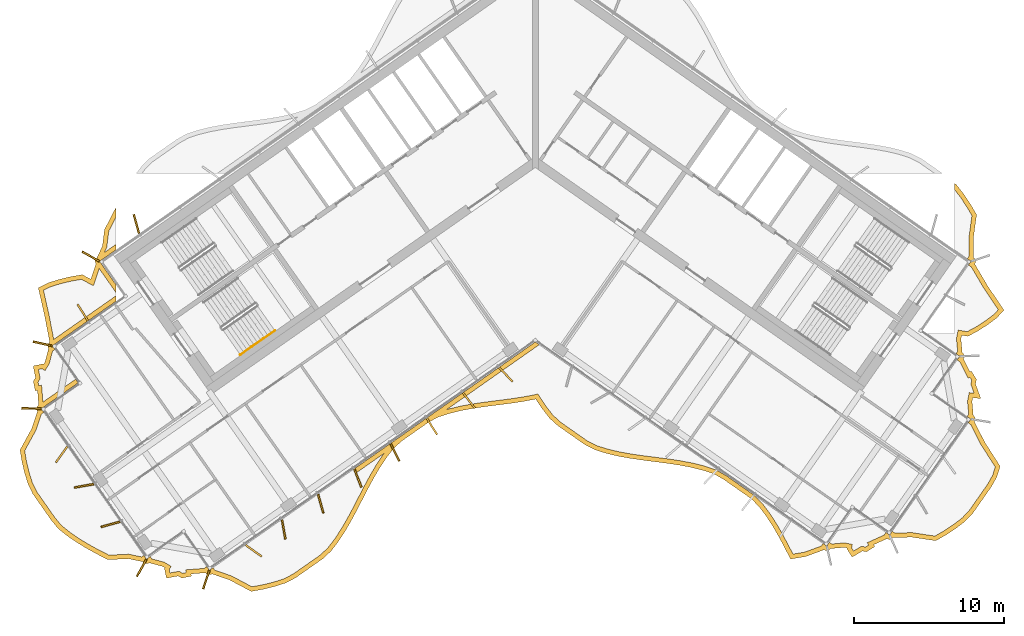
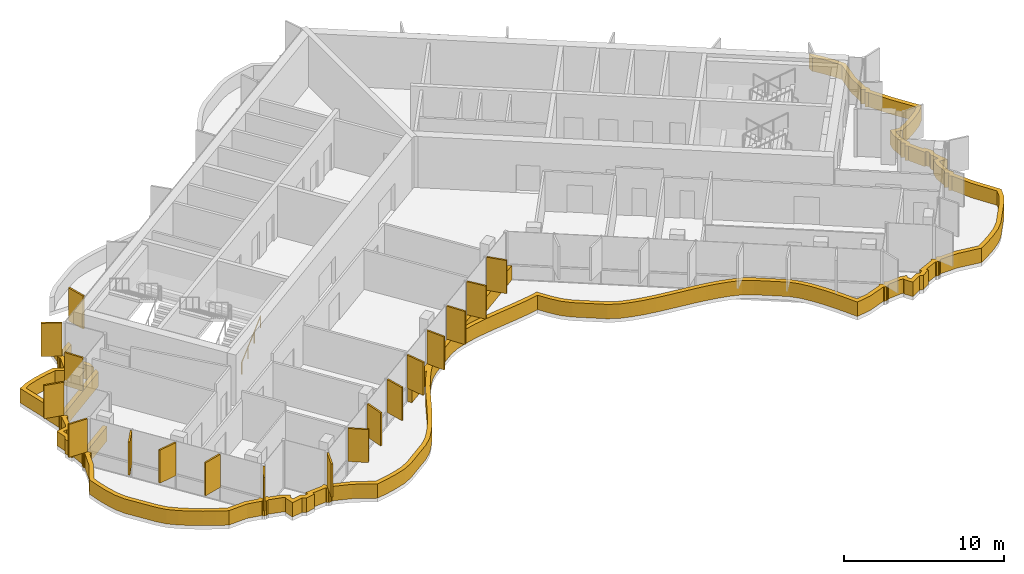
# One storey, part 13 of 17: 19 shading devices, 1 railing.
"""IFC4 building model written with IfcOpenShell, lengths in metres."""

import ifcopenshell
import ifcopenshell.guid

model = None  # the IFC model being written
_history = None  # IfcOwnerHistory: only IFC2X3 demands one
_inside = {}  # id of a spatial element -> (the spatial element, [elements in it])
_under = {}  # id of a project, library or spatial element -> (it, [spatial elements below it])
_declared = {}  # id of a project -> (the project, [libraries it declares])
_typed = {}  # id of a type object -> (the type object, [elements of that type])
_made_of = {}  # id of a material, layer set ... -> (it, [elements and type objects made of it])


def new_model(schema):
    """Start an empty IFC model of exactly this schema.

    Asked for "IFC4X3", IfcOpenShell would pick the latest addendum, in which some entities
    have other attributes; the version numbers below select the first issue.
    IFC2X3 requires an IfcOwnerHistory on every rooted entity: one is made here for all.
    """
    global model, _history
    if schema == "IFC4X3":
        model = ifcopenshell.file(schema_version=(4, 3, 0, 0))
    else:
        model = ifcopenshell.file(schema=schema)
    _inside.clear()
    _under.clear()
    _declared.clear()
    _typed.clear()
    _made_of.clear()
    _history = None
    if model.schema == "IFC2X3":
        org = make("IfcOrganization", Name="unknown")
        user = make(
            "IfcPersonAndOrganization",
            ThePerson=make("IfcPerson", FamilyName="unknown"),
            TheOrganization=org,
        )
        app = make(
            "IfcApplication",
            ApplicationDeveloper=org,
            Version="unknown",
            ApplicationFullName="unknown",
            ApplicationIdentifier="unknown",
        )
        _history = make(
            "IfcOwnerHistory",
            OwningUser=user,
            OwningApplication=app,
            ChangeAction="ADDED",
            CreationDate=0,
        )
    return model


def make(cls, **values):
    """One entity of the class cls with the attributes given. An attribute that is None is left unset."""
    return model.create_entity(
        cls, **{name: value for name, value in values.items() if value is not None}
    )


def rooted(cls, **values):
    """An entity with a GlobalId (a new one), such as an element, a storey or a relation."""
    return make(cls, GlobalId=ifcopenshell.guid.new(), OwnerHistory=_history, **values)


def si_unit(unit_type, name, prefix=None):
    """IfcSIUnit, for example si_unit("LENGTHUNIT", "METRE", prefix="MILLI")."""
    return make("IfcSIUnit", UnitType=unit_type, Prefix=prefix, Name=name)


def assignment(units):
    """IfcUnitAssignment: the units of a project."""
    return None if units is None else make("IfcUnitAssignment", Units=units)


def point(xyz):
    """IfcCartesianPoint."""
    return None if xyz is None else make("IfcCartesianPoint", Coordinates=xyz)


def direction(xyz):
    """IfcDirection."""
    return None if xyz is None else make("IfcDirection", DirectionRatios=xyz)


def frame(location, z_axis=None, x_axis=None):
    """IfcAxis2Placement3D, a coordinate frame: its origin and axes. An axis left out is left unset."""
    return make(
        "IfcAxis2Placement3D",
        Location=point(location),
        Axis=direction(z_axis),
        RefDirection=direction(x_axis),
    )


def frame_2d(location, x_axis=None):
    """IfcAxis2Placement2D, a coordinate frame in the plane: its origin and x axis."""
    return make(
        "IfcAxis2Placement2D", Location=point(location), RefDirection=direction(x_axis)
    )


def origin():
    """The frame at (0, 0, 0) with its axes left unset."""
    return frame((0.0, 0.0, 0.0))


def origin_2d():
    """The frame at (0, 0) in the plane with its x axis left unset."""
    return frame_2d((0.0, 0.0))


def place(relative_to, where):
    """IfcLocalPlacement: puts the frame where relative to a parent placement (None: the world)."""
    return make(
        "IfcLocalPlacement", PlacementRelTo=relative_to, RelativePlacement=where
    )


def context(
    kind, dimensions, precision=None, world=None, true_north=None, identifier=None
):
    """IfcGeometricRepresentationContext, for example the 3D "Model" context."""
    return make(
        "IfcGeometricRepresentationContext",
        ContextIdentifier=identifier,
        ContextType=kind,
        CoordinateSpaceDimension=dimensions,
        Precision=precision,
        WorldCoordinateSystem=world,
        TrueNorth=true_north,
    )


def subcontext(parent, identifier, kind, view, scale=None):
    """IfcGeometricRepresentationSubContext, for example "Body" below "Model"."""
    return make(
        "IfcGeometricRepresentationSubContext",
        ContextIdentifier=identifier,
        ContextType=kind,
        ParentContext=parent,
        TargetScale=scale,
        TargetView=view,
    )


def project(units=None, contexts=None):
    """IfcProject with its units and contexts."""
    return rooted(
        "IfcProject",
        Name="project",
        RepresentationContexts=contexts,
        UnitsInContext=assignment(units),
    )


def spatial(cls, under=None, at=None, **own):
    """A site, building, storey or space (cls), placed at a placement, below another one or the project."""
    s = rooted(cls, ObjectPlacement=at, **own)
    if under is not None:
        _under.setdefault(under.id(), (under, []))[1].append(s)
    return s


def polyline(points):
    """IfcPolyline through the points."""
    return make("IfcPolyline", Points=[point(p) for p in points])


def profile(cls, at=None, kind="AREA", **sizes):
    """A parametric profile (cls). Its sizes go by their IFC names, for example OverallWidth=200.0."""
    return make(cls, ProfileType=kind, Position=at, **sizes)


def rectangle(**sizes):
    """IfcRectangleProfileDef."""
    return profile("IfcRectangleProfileDef", **sizes)


def circle(**sizes):
    """IfcCircleProfileDef."""
    return profile("IfcCircleProfileDef", **sizes)


def outline(outer, holes=None, kind="AREA"):
    """IfcArbitraryClosedProfileDef: a profile drawn as a closed curve; with holes, ...WithVoids."""
    if holes is None:
        return make("IfcArbitraryClosedProfileDef", ProfileType=kind, OuterCurve=outer)
    return make(
        "IfcArbitraryProfileDefWithVoids",
        ProfileType=kind,
        OuterCurve=outer,
        InnerCurves=holes,
    )


def extrude(swept, where, along, depth):
    """IfcExtrudedAreaSolid: the profile swept, set in the frame where, extruded along a direction by depth."""
    return make(
        "IfcExtrudedAreaSolid",
        SweptArea=swept,
        Position=where,
        ExtrudedDirection=direction(along),
        Depth=depth,
    )


def shape(context_of_items, identifier, shape_type, items):
    """IfcShapeRepresentation: the items that make up one representation, for example the "Body"."""
    return make(
        "IfcShapeRepresentation",
        ContextOfItems=context_of_items,
        RepresentationIdentifier=identifier,
        RepresentationType=shape_type,
        Items=items,
    )


def material(Name=None, Category=None):
    """IfcMaterial."""
    return make("IfcMaterial", Name=Name, Category=Category)


def layer(
    of_material, thickness, ventilated=None, Name=None, Category=None, Priority=None
):
    """IfcMaterialLayer: one layer of a wall or slab, of a material (None: an air gap)."""
    return make(
        "IfcMaterialLayer",
        Material=of_material,
        LayerThickness=thickness,
        IsVentilated=ventilated,
        Name=Name,
        Category=Category,
        Priority=Priority,
    )


def layer_set(layers, Name=None):
    """IfcMaterialLayerSet."""
    return make("IfcMaterialLayerSet", MaterialLayers=layers, LayerSetName=Name)


def made_of(thing, what):
    """Note that an element or type object is made of a material, layer set ...; save() writes the relation."""
    if what is not None:
        _made_of.setdefault(what.id(), (what, []))[1].append(thing)
    return thing


def type_object(cls, material=None, **own):
    """A type object (cls), such as IfcWallType, which elements share."""
    return made_of(rooted(cls, **own), material)


def element(
    cls,
    number,
    at=None,
    inside=None,
    cuts=None,
    type_object=None,
    material=None,
    context=None,
    identifier="Body",
    shape_type=None,
    held_by="IfcProductDefinitionShape",
    body=None,
    shapes=None,
    **own,
):
    """One element of the class cls, such as IfcWall. Its Tag is "e" and its number.

    at: its placement. inside: the storey or other place that contains it. cuts: it is an
    opening in that element (IfcRelVoidsElement). A single representation is given by context,
    identifier, shape_type and body (its items); several are given by shapes. held_by: the class
    of the entity that holds the representations. save() writes the other relations.
    """
    e = rooted(cls, Tag="e%d" % number, ObjectPlacement=at, **own)
    if body is not None:
        shapes = [shape(context, identifier, shape_type, body)]
    if shapes is not None:
        e.Representation = make(held_by, Representations=shapes)
    if inside is not None:
        _inside.setdefault(inside.id(), (inside, []))[1].append(e)
    if cuts is not None:
        rooted(
            "IfcRelVoidsElement", RelatingBuildingElement=cuts, RelatedOpeningElement=e
        )
    if type_object is not None:
        _typed.setdefault(type_object.id(), (type_object, []))[1].append(e)
    return made_of(e, material)


def aggregate(whole, parts):
    """IfcRelAggregates: a whole, such as a stair, and the parts it consists of."""
    return rooted("IfcRelAggregates", RelatingObject=whole, RelatedObjects=parts)


def save(model, path):
    """Write the relations noted so far, then the file.

    IfcRelAggregates (storeys below a building ...), IfcRelContainedInSpatialStructure (elements
    in a storey), IfcRelDefinesByType, IfcRelAssociatesMaterial and IfcRelDeclares: one each for
    every whole, place, type object, material and project.
    """
    for whole, parts in _under.values():
        aggregate(whole, parts)
    for where, things in _inside.values():
        rooted(
            "IfcRelContainedInSpatialStructure",
            RelatedElements=things,
            RelatingStructure=where,
        )
    for kind, things in _typed.values():
        rooted("IfcRelDefinesByType", RelatedObjects=things, RelatingType=kind)
    for what, things in _made_of.values():
        rooted("IfcRelAssociatesMaterial", RelatedObjects=things, RelatingMaterial=what)
    for by, libraries in _declared.values():
        rooted("IfcRelDeclares", RelatingContext=by, RelatedDefinitions=libraries)
    model.write(path)


model = new_model("IFC4")

# Units and contexts
model_context = context("Model", 3, precision=1e-05, world=origin(), true_north=direction((0.0, 1.0)))
body_context = subcontext(model_context, "Body", "Model", "MODEL_VIEW")
ifc_project = project(units=[si_unit("LENGTHUNIT", "METRE"), si_unit("AREAUNIT", "SQUARE_METRE"), si_unit("VOLUMEUNIT", "CUBIC_METRE"), si_unit("PLANEANGLEUNIT", "RADIAN"), si_unit("MASSUNIT", "GRAM", prefix="KILO")], contexts=[model_context])

# Site, building, storey
site_placement = place(None, origin())
site = spatial("IfcSite", under=ifc_project, at=site_placement, CompositionType="ELEMENT")
building_placement = place(site_placement, origin())
building = spatial("IfcBuilding", under=site, at=building_placement, Name="Tel Ilan Convention Tower", CompositionType="ELEMENT")
storey_placement = place(building_placement, frame((0.0, 0.0, 276.10009765625)))
storey = spatial("IfcBuildingStorey", under=building, at=storey_placement, Name="L65", CompositionType="ELEMENT", Elevation=276.10009765625)

# Shading devices
ifc_material_1 = material(Name="Aluminium, bronze anodised", Category="aluminium")
ifc_layer_1 = layer(ifc_material_1, 0.1201171875)
ifc_layer_set_1 = layer_set([ifc_layer_1], Name="FIN BRONZE 1300x120")
shading_device_type_1 = type_object("IfcShadingDeviceType", Name="FIN BRONZE 1300x120", PredefinedType="USERDEFINED", material=ifc_layer_set_1)
for number, where, z_axis, x_axis, name in (
    (1, (-26.51171875, -4.9736328125, 1.099853515625), (0.0, 0.0, 1.0), (-0.268172612768, 0.963370878614, 0.0), "FIN"),
    (2, (-29.5439453125, -7.13623046875, 1.099853515625), (0.0, 0.0, 1.0), (-0.870832754082, 0.491579408049, 0.0), "FIN"),
    (3, (-30.076416015625, -10.8642578125, 1.099853515625), (0.0, 0.0, 1.0), (-0.533204432798, 0.845986425922, 0.0), "FIN"),
    (4, (-32.740234375, -12.935302734375, 1.099853515625), (0.0, 0.0, 1.0), (-0.975235208752, 0.221170268371, 0.0), "FIN"),
    (5, (-33.498291015625, -17.2373046875, 1.099853515625), (0.0, 0.0, 1.0), (-0.999576950082, 0.029084718749, 0.0), "FIN"),
    (6, (-31.485107421875, -20.2958984375, 1.099853515625), (0.0, 0.0, 1.0), (-0.581492071294, -0.813552070258, 0.0), "FIN"),
    (7, (-30.002197265625, -22.381591796875, 1.099853515625), (0.0, 0.0, 1.0), (-0.984807753012, -0.173648177667, 0.0), "FIN"),
    (8, (-28.234619140625, -24.938232421875, 1.099853515625), (0.0, 0.0, 1.0), (-0.963370878614, -0.268172612768, 0.0), "FIN"),
    (9, (-26.165771484375, -27.83642578125, 1.099853515625), (0.0, 0.0, 1.0), (-0.491579408049, -0.870832754082, 0.0), "FIN"),
    (10, (-21.87060546875, -28.613037109375, 1.099853515625), (0.0, 0.0, 1.0), (-0.314544756146, -0.949242643575, 0.0), "FIN"),
    (11, (-18.717529296875, -26.6962890625, 1.099853515625), (0.0, 0.0, 1.0), (0.813552070258, -0.581492071294, 0.0), "FIN"),
    (12, (-16.72314453125, -25.27734375, 1.099853515625), (0.0, 0.0, 1.0), (0.173648177667, -0.984807753012, 0.0), "FIN"),
    (13, (-14.2578125, -23.573486328125, 1.099853515625), (0.0, 0.0, 1.0), (0.268172612768, -0.963370878614, 0.0), "FIN"),
    (14, (-11.7939453125, -21.863525390625, 1.099853515625), (0.0, 0.0, 1.0), (0.360177724803, -0.932883704733, 0.0), "FIN"),
    (15, (-9.332275390625, -20.14794921875, 1.099853515625), (0.0, 0.0, 1.0), (0.448799180206, -0.893632640321, 0.0), "FIN"),
    (16, (-6.87353515625, -18.426513671875, 1.099853515625), (0.0, 0.0, 1.0), (0.533204432798, -0.845986425922, 0.0), "FIN"),
    (17, (-4.414794921875, -16.704833984375, 1.099853515625), (0.0, 0.0, 1.0), (0.612600545196, -0.790392669516, 0.0), "FIN"),
    (18, (-1.95654296875, -14.983154296875, 1.099853515625), (0.0, 0.0, 1.0), (0.686241637865, -0.727373641577, 0.0), "FIN"),
):
    element("IfcShadingDevice", number, at=place(storey_placement, frame(where, z_axis=z_axis, x_axis=x_axis)), inside=storey, type_object=shading_device_type_1, Name=name, ObjectType="FIN", PredefinedType="USERDEFINED", context=body_context, shape_type="SweptSolid", body=[
        extrude(rectangle(XDim=1.300048828125, YDim=0.1201171875, at=origin_2d()), origin(), (0.0, 0.0, 1.0), 2.52001953125),
    ])
ifc_material_2 = material(Name="Aluminium, bronze anodised", Category="aluminium")
ifc_layer_2 = layer(ifc_material_2, 0.300048828125)
ifc_layer_set_2 = layer_set([ifc_layer_2], Name="LOUVRE BAND 300x1100")
shading_device_type_2 = type_object("IfcShadingDeviceType", Name="LOUVRE BAND 300x1100", PredefinedType="USERDEFINED", material=ifc_layer_set_2)
shading_device_placement = place(storey_placement, origin())
element("IfcShadingDevice", 19, at=shading_device_placement, inside=storey, type_object=shading_device_type_2, Name="LOUVRE BAND 50.01", ObjectType="LOUVRE", PredefinedType="USERDEFINED", context=body_context, shape_type="SweptSolid", body=[
    extrude(outline(polyline([(-33.47021484375, -18.574462890625), (-34.248779296875, -19.995849609375), (-34.1181640625, -20.780517578125), (-33.940185546875, -21.531982421875), (-33.7158203125, -22.2509765625), (-33.401611328125, -22.906982421875), (-32.166748046875, -24.670654296875), (-31.707763671875, -25.22509765625), (-31.125732421875, -25.69384765625), (-30.49462890625, -26.1279296875), (-29.82373046875, -26.5341796875), (-29.12353515625, -26.920166015625), (-28.398193359375, -27.288330078125), (-27.05419921875, -27.223388671875), (-26.083984375, -27.420166015625), (-26.05517578125, -27.46337890625), (-25.957763671875, -27.5283203125), (-25.843017578125, -27.55126953125), (-25.728271484375, -27.5283203125), (-25.674072265625, -27.492431640625), (-24.7724609375, -27.73388671875), (-24.61669921875, -27.828857421875), (-24.64697265625, -27.878662109375), (-24.51416015625, -28.518310546875), (-23.728759765625, -28.3701171875), (-23.49462890625, -28.5126953125), (-22.855224609375, -28.3798828125), (-22.8828125, -28.233154296875), (-21.90576171875, -28.15673828125), (-21.876953125, -28.2001953125), (-21.779541015625, -28.26513671875), (-21.664794921875, -28.2880859375), (-21.550048828125, -28.26513671875), (-21.49609375, -28.22900390625), (-20.311279296875, -28.64013671875), (-18.883544921875, -29.3984375), (-18.087646484375, -29.25439453125), (-17.32080078125, -29.068359375), (-16.588623046875, -28.833251953125), (-15.931640625, -28.490478515625), (-14.12646484375, -27.226318359375), (-13.582763671875, -26.721923828125), (-13.1123046875, -26.113037109375), (-12.67626953125, -25.454833984375), (-12.267333984375, -24.7578125), (-11.87744140625, -24.0341796875), (-11.11572265625, -22.56005859375), (-10.724853515625, -21.83740234375), (-10.314697265625, -21.142333984375), (-9.877197265625, -20.486572265625), (-9.404541015625, -19.88037109375), (-8.85498046875, -19.384765625), (-7.049560546875, -18.12060546875), (-6.386474609375, -17.78662109375), (-5.65234375, -17.55419921875), (-4.884033203125, -17.370849609375), (-4.088623046875, -17.225830078125), (-3.274658203125, -17.107421875), (-1.629150390625, -16.895751953125), (-0.816650390625, -16.775146484375), (0.03369140625, -16.6123046875), (0.481201171875, -17.28466796875), (0.956298828125, -17.894287109375), (1.509765625, -18.392333984375), (3.325927734375, -19.663818359375), (3.99609375, -19.9951171875), (4.73583984375, -20.22705078125), (5.510009765625, -20.40966796875), (6.311279296875, -20.553955078125), (7.130615234375, -20.672119140625), (8.785888671875, -20.885009765625), (9.601806640625, -21.008056640625), (10.3974609375, -21.16015625), (11.16455078125, -21.353271484375), (11.8955078125, -21.59765625), (12.540283203125, -21.965087890625), (14.356201171875, -23.23681640625), (14.88330078125, -23.7724609375), (15.349853515625, -24.39453125), (15.782958984375, -25.064453125), (16.18994140625, -25.771728515625), (16.57958984375, -26.50341796875), (16.96240234375, -27.2451171875), (17.983642578125, -27.074951171875), (19.202392578125, -26.623046875), (19.25634765625, -26.6591796875), (19.37109375, -26.681884765625), (19.486083984375, -26.6591796875), (19.583251953125, -26.593994140625), (19.6123046875, -26.55078125), (20.542236328125, -26.469482421875), (20.72119140625, -26.50537109375), (20.709716796875, -26.5625), (21.052978515625, -27.1181640625), (21.740478515625, -26.710205078125), (22.00927734375, -26.76416015625), (22.564697265625, -26.420654296875), (22.488525390625, -26.292236328125), (23.380615234375, -25.88623046875), (23.4345703125, -25.92236328125), (23.54931640625, -25.9453125), (23.6640625, -25.92236328125), (23.761474609375, -25.857421875), (23.79052734375, -25.81396484375), (25.015625, -25.789306640625), (26.617919921875, -26.0283203125), (27.311767578125, -25.631591796875), (27.9609375, -25.203369140625), (28.5625, -24.741943359375), (29.068603515625, -24.213623046875), (30.31298828125, -22.436767578125), (30.669189453125, -21.803466796875), (30.8984375, -21.081298828125), (29.872314453125, -19.47998046875), (29.18212890625, -18.114013671875), (29.218017578125, -18.06005859375), (29.240966796875, -17.9453125), (29.218017578125, -17.830322265625), (29.153076171875, -17.733154296875), (29.10986328125, -17.7041015625), (29.028564453125, -16.774169921875), (29.080322265625, -16.5166015625), (29.61181640625, -16.583740234375), (29.26171875, -15.613037109375), (29.3232421875, -15.30712890625), (28.979736328125, -14.751708984375), (28.889404296875, -14.80517578125), (28.4453125, -13.935791015625), (28.4814453125, -13.8818359375), (28.504150390625, -13.76708984375), (28.4814453125, -13.652099609375), (28.416259765625, -13.554931640625), (28.373046875, -13.52587890625), (28.291748046875, -12.595947265625), (28.33642578125, -12.373291015625), (28.752685546875, -12.44189453125), (29.445068359375, -12.072265625), (30.077880859375, -11.660888671875), (30.66748046875, -11.218994140625), (31.151123046875, -10.703125), (30.056640625, -9.082275390625), (29.199951171875, -7.6279296875), (29.236083984375, -7.57373046875), (29.2587890625, -7.458984375), (29.236083984375, -7.34423828125), (29.1708984375, -7.246826171875), (29.127685546875, -7.218017578125), (29.10986328125, -5.95947265625), (29.331298828125, -4.35888671875), (28.922119140625, -3.659423828125), (28.48388671875, -3.001220703125), (28.0107421875, -2.392822265625), (27.874755859375, -2.269287109375), (27.874755859375, -2.70654296875), (28.240234375, -3.176513671875), (28.66748046875, -3.818359375), (29.02001953125, -4.420654296875), (28.809326171875, -5.941162109375), (28.829345703125, -7.12109375), (28.713134765625, -7.286865234375), (28.958740234375, -7.458984375), (28.787353515625, -7.705322265625), (28.97900390625, -7.83935546875), (29.802734375, -9.2421875), (30.7685546875, -10.672607421875), (30.466552734375, -10.99462890625), (29.906005859375, -11.414794921875), (29.292236328125, -11.813720703125), (28.701171875, -12.12939453125), (28.099365234375, -12.0302734375), (27.989013671875, -12.579833984375), (28.067626953125, -13.439208984375), (27.95849609375, -13.594970703125), (28.204345703125, -13.76708984375), (28.03271484375, -14.01318359375), (28.21630859375, -14.141845703125), (28.766845703125, -15.226806640625), (28.87939453125, -15.159912109375), (29.005859375, -15.3642578125), (28.951171875, -15.635986328125), (29.163330078125, -16.224853515625), (28.841064453125, -16.18408203125), (28.725830078125, -16.758056640625), (28.80419921875, -17.617431640625), (28.6953125, -17.773193359375), (28.94091796875, -17.9453125), (28.76953125, -18.19140625), (28.95263671875, -18.319580078125), (29.611328125, -19.62890625), (30.56982421875, -21.12451171875), (30.392578125, -21.68310546875), (30.05859375, -22.276611328125), (28.836181640625, -24.022705078125), (28.36181640625, -24.517822265625), (27.78662109375, -24.958740234375), (27.154541015625, -25.3759765625), (26.559326171875, -25.71630859375), (25.034423828125, -25.48876953125), (23.886474609375, -25.51513671875), (23.721435546875, -25.3994140625), (23.54931640625, -25.645263671875), (23.30322265625, -25.473876953125), (23.1787109375, -25.6513671875), (22.059326171875, -26.156982421875), (22.156494140625, -26.320556640625), (21.9521484375, -26.44677734375), (21.6865234375, -26.393310546875), (21.1533203125, -26.709716796875), (21.027099609375, -26.505615234375), (21.07421875, -26.2705078125), (20.558349609375, -26.166748046875), (19.698974609375, -26.245361328125), (19.543212890625, -26.13623046875), (19.37109375, -26.382080078125), (19.125, -26.21044921875), (19.00732421875, -26.378662109375), (17.90673828125, -26.78369140625), (17.12890625, -26.913330078125), (16.452392578125, -25.626220703125), (16.0390625, -24.908203125), (15.59619140625, -24.222900390625), (15.111328125, -23.576416015625), (14.55078125, -23.0068359375), (12.700927734375, -21.71142578125), (12.0185546875, -21.322509765625), (11.248779296875, -21.06494140625), (10.46240234375, -20.866943359375), (9.65234375, -20.712158203125), (8.827392578125, -20.587890625), (7.171142578125, -20.374755859375), (6.359375, -20.2578125), (5.571044921875, -20.11572265625), (4.815185546875, -19.9375), (4.108154296875, -19.7158203125), (3.479248046875, -19.405029296875), (1.697021484375, -18.156982421875), (1.1767578125, -17.68896484375), (0.724609375, -17.10888671875), (0.29541015625, -16.465576171875), (0.1787109375, -16.2666015625), (-0.087890625, -16.33349609375), (-0.866455078125, -16.479248046875), (-1.67041015625, -16.5986328125), (-3.315185546875, -16.81005859375), (-4.136962890625, -16.9296875), (-4.945556640625, -17.0771484375), (-5.732666015625, -17.264892578125), (-5.906005859375, -17.31982421875), (0.261474609375, -13.001220703125), (0.0, -12.818115234375), (-12.00537109375, -21.224365234375), (-11.833251953125, -21.47021484375), (-10.0517578125, -20.22265625), (-10.12060546875, -20.310791015625), (-10.56884765625, -20.982666015625), (-10.986083984375, -21.68994140625), (-11.380859375, -22.419677734375), (-12.142578125, -23.89404296875), (-12.529052734375, -24.61083984375), (-12.930908203125, -25.2958984375), (-13.356201171875, -25.938232421875), (-13.804931640625, -26.518798828125), (-14.315185546875, -26.992431640625), (-16.087890625, -28.233642578125), (-16.704833984375, -28.555419921875), (-17.402099609375, -28.779541015625), (-18.149658203125, -28.960693359375), (-18.83447265625, -29.084716796875), (-20.19140625, -28.3642578125), (-21.302978515625, -27.981689453125), (-21.418701171875, -27.816650390625), (-21.664794921875, -27.988037109375), (-21.8369140625, -27.7421875), (-22.01513671875, -27.8671875), (-23.239990234375, -27.959228515625), (-23.20458984375, -28.14599609375), (-23.439697265625, -28.19482421875), (-23.671142578125, -28.053955078125), (-24.2802734375, -28.1689453125), (-24.3291015625, -27.933837890625), (-24.204345703125, -27.72900390625), (-24.65380859375, -27.455078125), (-25.48828125, -27.23486328125), (-25.5966796875, -27.079833984375), (-25.843017578125, -27.251220703125), (-26.01513671875, -27.005615234375), (-26.15478515625, -27.103271484375), (-27.03076171875, -26.921875), (-28.333251953125, -26.98486328125), (-28.983154296875, -26.65478515625), (-29.673583984375, -26.2744140625), (-30.331787109375, -25.8759765625), (-30.946533203125, -25.453125), (-31.495849609375, -25.010498046875), (-31.927978515625, -24.488525390625), (-33.141845703125, -22.755126953125), (-33.43603515625, -22.140869140625), (-33.650634765625, -21.45263671875), (-33.823974609375, -20.72119140625), (-33.935791015625, -20.048828125), (-33.1943359375, -18.6953125), (-32.833251953125, -17.61865234375), (-32.66845703125, -17.50341796875), (-32.840576171875, -17.257568359375), (-30.383056640625, -15.536865234375), (-30.55517578125, -15.291015625), (-32.726806640625, -16.811767578125), (-32.811767578125, -15.6826171875), (-32.998779296875, -15.7177734375), (-33.047607421875, -15.482666015625), (-32.906494140625, -15.251220703125), (-33.021484375, -14.64208984375), (-32.786376953125, -14.59326171875), (-32.58154296875, -14.718017578125), (-32.3076171875, -14.268798828125), (-32.087646484375, -13.434326171875), (-31.931884765625, -13.3251953125), (-32.103759765625, -13.079345703125), (-27.874755859375, -10.1181640625), (-27.874755859375, -9.751953125), (-32.006591796875, -12.64501953125), (-32.314697265625, -11.033447265625), (-32.68798828125, -9.385986328125), (-32.26708984375, -9.168701171875), (-31.5771484375, -8.950439453125), (-30.838623046875, -8.77392578125), (-30.161376953125, -8.65625), (-29.363525390625, -9.087646484375), (-28.9892578125, -7.938720703125), (-27.874755859375, -9.530029296875), (-27.874755859375, -9.007080078125), (-28.958740234375, -7.458984375), (-27.874755859375, -6.699951171875), (-27.874755859375, -6.333740234375), (-28.640380859375, -6.869873046875), (-28.480224609375, -6.525634765625), (-28.343994140625, -5.44384765625), (-27.874755859375, -4.536376953125), (-27.874755859375, -3.881103515625), (-28.635009765625, -5.353271484375), (-28.772216796875, -6.441650390625), (-29.127685546875, -7.218017578125), (-29.1708984375, -7.246826171875), (-29.236083984375, -7.34423828125), (-29.2587890625, -7.458984375), (-29.236083984375, -7.57373046875), (-29.199951171875, -7.6279296875), (-29.537353515625, -8.652587890625), (-30.110107421875, -8.3427734375), (-30.899169921875, -8.47998046875), (-31.6572265625, -8.661376953125), (-32.3818359375, -8.890380859375), (-33.031982421875, -9.225830078125), (-32.6083984375, -11.094970703125), (-32.272705078125, -12.83837890625), (-32.31591796875, -12.8671875), (-32.381103515625, -12.964599609375), (-32.40380859375, -13.079345703125), (-32.381103515625, -13.1943359375), (-32.344970703125, -13.248291015625), (-32.586669921875, -14.14990234375), (-32.681640625, -14.3056640625), (-32.7314453125, -14.275390625), (-33.370849609375, -14.408203125), (-33.22265625, -15.193603515625), (-33.365478515625, -15.427734375), (-33.232666015625, -16.067138671875), (-33.0859375, -16.03955078125), (-33.009521484375, -17.0166015625), (-33.052734375, -17.04541015625), (-33.11767578125, -17.142822265625), (-33.140625, -17.257568359375), (-33.11767578125, -17.372314453125), (-33.081787109375, -17.426513671875), (-33.47021484375, -18.574462890625)])), origin(), (0.0, 0.0, 1.0), 1.099853515625),
])

# Railing
ifc_material_3 = material(Name="Stainless Steel Grade 316", Category="steel")
railing_type = type_object("IfcRailingType", Name="Stainless Steel Stair Handrail 900 mm", PredefinedType="HANDRAIL", material=ifc_material_3)
railing_placement = place(storey_placement, frame((-19.6064453125, -13.66748046875, 0.17724609375)))
element("IfcRailing", 20, at=railing_placement, inside=storey, type_object=railing_type, Name="L65 S2 stair handrail 1", PredefinedType="HANDRAIL", context=body_context, shape_type="SweptSolid", body=[
    extrude(circle(Radius=0.02392578125, at=origin_2d()), frame((0.0, 0.0, 0.8759765625), z_axis=(0.692123088272, 0.484596665743, 0.534912798717), x_axis=(-0.573550118428, 0.819170471667, 0.0)), (0.0, 0.0, 1.0), 3.31396484375),
    extrude(circle(Radius=0.02099609375, at=origin_2d()), origin(), (0.0, 0.0, 1.0), 0.851806640625),
    extrude(circle(Radius=0.02099609375, at=origin_2d()), frame((0.7646484375, 0.535400390625, 0.5908203125)), (0.0, 0.0, 1.0), 0.851806640625),
    extrude(circle(Radius=0.02099609375, at=origin_2d()), frame((1.529052734375, 1.070556640625, 1.181884765625)), (0.0, 0.0, 1.0), 0.851806640625),
    extrude(circle(Radius=0.02099609375, at=origin_2d()), frame((2.293701171875, 1.60595703125, 1.772705078125)), (0.0, 0.0, 1.0), 0.851806640625),
])

save(model, "model.ifc")
